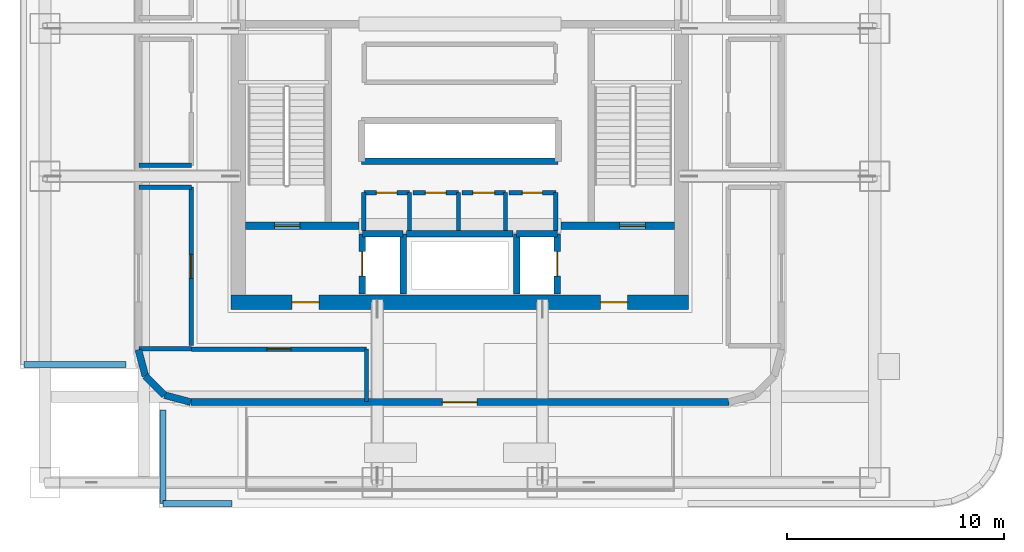
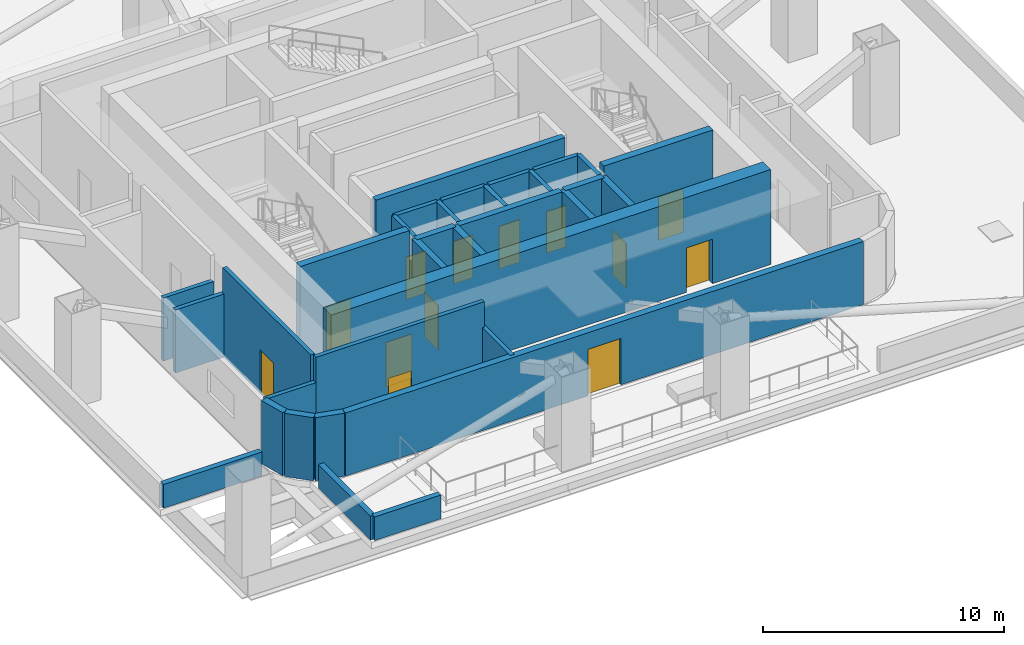
# One storey, part 5 of 10: 33 walls, 13 doors, 13 openings.
"""IFC4 building model written with IfcOpenShell, lengths in metres."""

from ifc_helpers import new_model, si_unit, direction, frame, frame_2d, origin, place, context, subcontext, project, spatial, rectangle, extrude, material, layer, layer_set, type_object, element, fill, save


model = new_model("IFC4")

# Units and contexts
model_context = context("Model", 3, precision=1e-05, world=origin(), true_north=direction((0.0, 1.0)))
body_context = subcontext(model_context, "Body", "Model", "MODEL_VIEW")
ifc_project = project(units=[si_unit("LENGTHUNIT", "METRE"), si_unit("AREAUNIT", "SQUARE_METRE"), si_unit("VOLUMEUNIT", "CUBIC_METRE"), si_unit("PLANEANGLEUNIT", "RADIAN"), si_unit("MASSUNIT", "GRAM", prefix="KILO")], contexts=[model_context])

# Site, building, storey
site_placement = place(None, origin())
site = spatial("IfcSite", under=ifc_project, at=site_placement, CompositionType="ELEMENT")
building_placement = place(site_placement, origin())
building = spatial("IfcBuilding", under=site, at=building_placement, Name="Punatoya Terracotta Tower", CompositionType="ELEMENT")
storey_placement = place(building_placement, frame((0.0, 0.0, 125.39990234375)))
storey = spatial("IfcBuildingStorey", under=building, at=storey_placement, Name="L29", CompositionType="ELEMENT", Elevation=125.39990234375)

# Wall, openings, doors
ifc_material_1 = material(Name="Concrete C60/75", Category="concrete")
ifc_layer_1 = layer(ifc_material_1, 0.64990234375)
ifc_layer_set_1 = layer_set([ifc_layer_1], Name="Concrete C60/75")
wall_type_1 = type_object("IfcWallType", Name="WL-COR-650", PredefinedType="SHEAR", material=ifc_layer_set_1)
wall_1_placement = place(storey_placement, frame((10.52490234375, -9.199951171875, 0.0), z_axis=(0.0, 0.0, 1.0), x_axis=(-1.0, 0.0, 0.0)))
wall_1 = element("IfcWall", 1, at=wall_1_placement, inside=storey, type_object=wall_type_1, Name="L29 Core Shear Wall S", PredefinedType="SHEAR", context=body_context, shape_type="SweptSolid", body=[
    extrude(rectangle(XDim=21.0498046875, YDim=0.64990234375, at=frame_2d((10.52490234375, 0.0))), origin(), (0.0, 0.0, 1.0), 4.800048828125),
])
opening_1_placement = place(wall_1_placement, frame((2.800048828125, 0.0, 0.0)))
opening_1 = element("IfcOpeningElement", 2, at=opening_1_placement, cuts=wall_1, Name="Opening FD-L1", PredefinedType="OPENING", context=body_context, shape_type="SweptSolid", body=[
    extrude(rectangle(XDim=1.25, YDim=2.25, at=frame_2d((0.625, 1.125))), frame((0.0, 0.3349609375, 0.0), z_axis=(0.0, -1.0, 0.0), x_axis=(1.0, 0.0, 0.0)), (0.0, 0.0, 1.0), 0.669921875),
])
opening_2_placement = place(wall_1_placement, frame((17.0, 0.0, 0.0)))
opening_2 = element("IfcOpeningElement", 3, at=opening_2_placement, cuts=wall_1, Name="Opening FD-L1", PredefinedType="OPENING", context=body_context, shape_type="SweptSolid", body=[
    extrude(rectangle(XDim=1.25, YDim=2.25, at=frame_2d((0.625, 1.125))), frame((0.0, 0.3349609375, 0.0), z_axis=(0.0, -1.0, 0.0), x_axis=(1.0, 0.0, 0.0)), (0.0, 0.0, 1.0), 0.669921875),
])
ifc_material_2 = material(Name="Galvanised Steel Smokeproof Fire Door", Category="steel")
door_type_1 = type_object("IfcDoorType", Name="DR-FFL-1250", OperationType="NOTDEFINED", PredefinedType="DOOR", material=ifc_material_2)
door_1_placement = place(opening_1_placement, origin())
door_1 = element("IfcDoor", 4, at=door_1_placement, inside=storey, type_object=door_type_1, Name="L29 East Firefighting Lobby Corridor Fire Door", OperationType="SINGLE_SWING_LEFT", OverallHeight=2.25, OverallWidth=1.25, PredefinedType="DOOR", context=body_context, shape_type="SweptSolid", body=[
    extrude(rectangle(XDim=1.25, YDim=2.25, at=frame_2d((0.625, 1.125))), frame((0.0, 0.02490234375, 0.0), z_axis=(0.0, -1.0, 0.0), x_axis=(1.0, 0.0, 0.0)), (0.0, 0.0, 1.0), 0.050048828125),
])
fill(opening_1, door_1)
door_2_placement = place(opening_2_placement, origin())
door_2 = element("IfcDoor", 5, at=door_2_placement, inside=storey, type_object=door_type_1, Name="L29 West Firefighting Lobby Corridor Fire Door", OperationType="SINGLE_SWING_RIGHT", OverallHeight=2.25, OverallWidth=1.25, PredefinedType="DOOR", context=body_context, shape_type="SweptSolid", body=[
    extrude(rectangle(XDim=1.25, YDim=2.25, at=frame_2d((0.625, 1.125))), frame((0.0, 0.02490234375, 0.0), z_axis=(0.0, -1.0, 0.0), x_axis=(1.0, 0.0, 0.0)), (0.0, 0.0, 1.0), 0.050048828125),
])
fill(opening_2, door_2)

# Wall, opening, door
ifc_material_3 = material(Name="Precast concrete C40/50", Category="concrete")
ifc_layer_2 = layer(ifc_material_3, 0.320068359375)
ifc_layer_set_2 = layer_set([ifc_layer_2], Name="Precast concrete C40/50")
wall_type_2 = type_object("IfcWallType", Name="WL-EXT-320", PredefinedType="SOLIDWALL", material=ifc_layer_set_2)
wall_2_placement = place(storey_placement, frame((-12.386962890625, -13.800048828125, 0.0), z_axis=(0.0, 0.0, 1.0), x_axis=(1.0, 0.0, 0.0)))
wall_2 = element("IfcWall", 6, at=wall_2_placement, inside=storey, type_object=wall_type_2, Name="L29 Terracotta Louvre Plant Enclosure S", PredefinedType="SOLIDWALL", context=body_context, shape_type="SweptSolid", body=[
    extrude(rectangle(XDim=24.77392578125, YDim=0.320068359375, at=frame_2d((12.386962890625, 0.0))), origin(), (0.0, 0.0, 1.0), 3.194091796875),
])
opening_3_placement = place(wall_2_placement, frame((11.5869140625, 0.0, 0.0)))
opening_3 = element("IfcOpeningElement", 7, at=opening_3_placement, cuts=wall_2, Name="Opening TD-01", PredefinedType="OPENING", context=body_context, shape_type="SweptSolid", body=[
    extrude(rectangle(XDim=1.60009765625, YDim=2.35009765625, at=frame_2d((0.800048828125, 1.175048828125))), frame((0.0, 0.169921875, 0.0), z_axis=(0.0, -1.0, 0.0), x_axis=(1.0, 0.0, 0.0)), (0.0, 0.0, 1.0), 0.340087890625),
])
ifc_material_4 = material(Name="Aluminium 6063-T6 + Low-E Glass", Category="aluminium")
door_type_2 = type_object("IfcDoorType", Name="DR-TER-1600", OperationType="NOTDEFINED", PredefinedType="DOOR", material=ifc_material_4)
door_3_placement = place(opening_3_placement, origin())
door_3 = element("IfcDoor", 8, at=door_3_placement, inside=storey, type_object=door_type_2, Name="L29 Sky-Garden Terrace Access Door S", OperationType="SINGLE_SWING_RIGHT", OverallHeight=2.35009765625, OverallWidth=1.60009765625, PredefinedType="DOOR", context=body_context, shape_type="SweptSolid", body=[
    extrude(rectangle(XDim=1.60009765625, YDim=2.35009765625, at=frame_2d((0.800048828125, 1.175048828125))), frame((0.0, 0.02490234375, 0.0), z_axis=(0.0, -1.0, 0.0), x_axis=(1.0, 0.0, 0.0)), (0.0, 0.0, 1.0), 0.050048828125),
])
fill(opening_3, door_3)

# Walls
wall_3_placement = place(storey_placement, frame((-14.800048828125, -11.386962890625, 0.0), z_axis=(0.0, 0.0, 1.0), x_axis=(0.25748094776, -0.966283375382, 0.0)))
element("IfcWall", 9, at=wall_3_placement, inside=storey, type_object=wall_type_2, Name="L29 Rounded Terracotta Corner Pier 14", PredefinedType="SOLIDWALL", context=body_context, shape_type="SweptSolid", body=[
    extrude(rectangle(XDim=1.25439453125, YDim=0.320068359375, at=frame_2d((0.627197265625, 0.0))), origin(), (0.0, 0.0, 1.0), 3.194091796875),
])
wall_4_placement = place(storey_placement, frame((-14.47705078125, -12.59912109375, 0.0), z_axis=(0.0, 0.0, 1.0), x_axis=(0.707106781187, -0.707106781187, 0.0)))
element("IfcWall", 10, at=wall_4_placement, inside=storey, type_object=wall_type_2, Name="L29 Rounded Terracotta Corner Pier 15", PredefinedType="SOLIDWALL", context=body_context, shape_type="SweptSolid", body=[
    extrude(rectangle(XDim=1.24169921875, YDim=0.320068359375, at=frame_2d((0.620849609375, 0.0))), origin(), (0.0, 0.0, 1.0), 3.194091796875),
])
wall_5_placement = place(storey_placement, frame((-13.59912109375, -13.47705078125, 0.0), z_axis=(0.0, 0.0, 1.0), x_axis=(0.966283375382, -0.25748094776, 0.0)))
element("IfcWall", 11, at=wall_5_placement, inside=storey, type_object=wall_type_2, Name="L29 Rounded Terracotta Corner Pier 16", PredefinedType="SOLIDWALL", context=body_context, shape_type="SweptSolid", body=[
    extrude(rectangle(XDim=1.25439453125, YDim=0.320068359375, at=frame_2d((0.627197265625, 0.0))), origin(), (0.0, 0.0, 1.0), 3.194091796875),
])
ifc_material_5 = material(Name="Concrete C40/50", Category="concrete")
ifc_layer_3 = layer(ifc_material_5, 0.199951171875)
ifc_layer_set_3 = layer_set([ifc_layer_3], Name="Concrete C40/50")
wall_type_3 = type_object("IfcWallType", Name="WL-INT-200", PredefinedType="SOLIDWALL", material=ifc_layer_set_3)
wall_6_placement = place(storey_placement, frame((-2.320068359375, -5.89990234375, 0.0), z_axis=(0.0, 0.0, 1.0), x_axis=(0.0, 1.0, 0.0)))
element("IfcWall", 12, at=wall_6_placement, inside=storey, type_object=wall_type_3, Name="L29 Staff Male Washroom Partition 01", PredefinedType="SOLIDWALL", context=body_context, shape_type="SweptSolid", body=[
    extrude(rectangle(XDim=1.739990234375, YDim=0.199951171875, at=frame_2d((0.8701171875, 0.0))), origin(), (0.0, 0.0, 1.0), 4.47998046875),
])

# Wall, opening, door
wall_7_placement = place(storey_placement, frame((-2.320068359375, -4.159912109375, 0.0), z_axis=(0.0, 0.0, 1.0), x_axis=(-1.0, 0.0, 0.0)))
wall_7 = element("IfcWall", 13, at=wall_7_placement, inside=storey, type_object=wall_type_3, Name="L29 Staff Male Washroom Partition 02", PredefinedType="SOLIDWALL", context=body_context, shape_type="SweptSolid", body=[
    extrude(rectangle(XDim=2.099853515625, YDim=0.199951171875, at=frame_2d((1.0498046875, 0.0))), origin(), (0.0, 0.0, 1.0), 4.47998046875),
])
opening_4_placement = place(wall_7_placement, frame((0.574951171875, 0.0, 0.0)))
opening_4 = element("IfcOpeningElement", 14, at=opening_4_placement, cuts=wall_7, Name="Opening WD-01", PredefinedType="OPENING", context=body_context, shape_type="SweptSolid", body=[
    extrude(rectangle(XDim=0.949951171875, YDim=2.14990234375, at=frame_2d((0.47509765625, 1.074951171875))), frame((0.0, 0.10986328125, 0.0), z_axis=(0.0, -1.0, 0.0), x_axis=(1.0, 0.0, 0.0)), (0.0, 0.0, 1.0), 0.219970703125),
])
ifc_material_6 = material(Name="Moisture-Resistant Laminate Timber Leaf", Category="wood")
door_type_3 = type_object("IfcDoorType", Name="DR-WC-950", OperationType="NOTDEFINED", PredefinedType="DOOR", material=ifc_material_6)
door_4_placement = place(opening_4_placement, origin())
door_4 = element("IfcDoor", 15, at=door_4_placement, inside=storey, type_object=door_type_3, Name="L29 Staff Male Washroom Door", OperationType="SINGLE_SWING_RIGHT", OverallHeight=2.14990234375, OverallWidth=0.949951171875, PredefinedType="DOOR", context=body_context, shape_type="SweptSolid", body=[
    extrude(rectangle(XDim=0.949951171875, YDim=2.14990234375, at=frame_2d((0.47509765625, 1.074951171875))), frame((0.0, 0.02490234375, 0.0), z_axis=(0.0, -1.0, 0.0), x_axis=(1.0, 0.0, 0.0)), (0.0, 0.0, 1.0), 0.050048828125),
])
fill(opening_4, door_4)

# Walls
for number, where, z_axis, x_axis, name in (
    (16, (-4.419921875, -4.159912109375, 0.0), (0.0, 0.0, 1.0), (0.0, -1.0, 0.0), "L29 Staff Male Washroom Partition 03"),
    (17, (-0.06005859375, -5.89990234375, 0.0), (0.0, 0.0, 1.0), (0.0, 1.0, 0.0), "L29 Staff Female Washroom Partition 04"),
):
    element("IfcWall", number, at=place(storey_placement, frame(where, z_axis=z_axis, x_axis=x_axis)), inside=storey, type_object=wall_type_3, Name=name, PredefinedType="SOLIDWALL", context=body_context, shape_type="SweptSolid", body=[
        extrude(rectangle(XDim=1.739990234375, YDim=0.199951171875, at=frame_2d((0.8701171875, 0.0))), origin(), (0.0, 0.0, 1.0), 4.47998046875),
    ])

# Wall, opening, door
wall_8_placement = place(storey_placement, frame((-0.06005859375, -4.159912109375, 0.0), z_axis=(0.0, 0.0, 1.0), x_axis=(-1.0, 0.0, 0.0)))
wall_8 = element("IfcWall", 18, at=wall_8_placement, inside=storey, type_object=wall_type_3, Name="L29 Staff Female Washroom Partition 05", PredefinedType="SOLIDWALL", context=body_context, shape_type="SweptSolid", body=[
    extrude(rectangle(XDim=2.099853515625, YDim=0.199951171875, at=frame_2d((1.0498046875, 0.0))), origin(), (0.0, 0.0, 1.0), 4.47998046875),
])
opening_5_placement = place(wall_8_placement, frame((0.574951171875, 0.0, 0.0)))
opening_5 = element("IfcOpeningElement", 19, at=opening_5_placement, cuts=wall_8, Name="Opening WD-01", PredefinedType="OPENING", context=body_context, shape_type="SweptSolid", body=[
    extrude(rectangle(XDim=0.949951171875, YDim=2.14990234375, at=frame_2d((0.47509765625, 1.074951171875))), frame((0.0, 0.10986328125, 0.0), z_axis=(0.0, -1.0, 0.0), x_axis=(1.0, 0.0, 0.0)), (0.0, 0.0, 1.0), 0.219970703125),
])
door_5_placement = place(opening_5_placement, origin())
door_5 = element("IfcDoor", 20, at=door_5_placement, inside=storey, type_object=door_type_3, Name="L29 Staff Female Washroom Door", OperationType="SINGLE_SWING_LEFT", OverallHeight=2.14990234375, OverallWidth=0.949951171875, PredefinedType="DOOR", context=body_context, shape_type="SweptSolid", body=[
    extrude(rectangle(XDim=0.949951171875, YDim=2.14990234375, at=frame_2d((0.47509765625, 1.074951171875))), frame((0.0, 0.02490234375, 0.0), z_axis=(0.0, -1.0, 0.0), x_axis=(1.0, 0.0, 0.0)), (0.0, 0.0, 1.0), 0.050048828125),
])
fill(opening_5, door_5)

# Wall
wall_9_placement = place(storey_placement, frame((2.10009765625, -5.89990234375, 0.0), z_axis=(0.0, 0.0, 1.0), x_axis=(0.0, 1.0, 0.0)))
element("IfcWall", 21, at=wall_9_placement, inside=storey, type_object=wall_type_3, Name="L29 Accessible Universal Washroom Partition 06", PredefinedType="SOLIDWALL", context=body_context, shape_type="SweptSolid", body=[
    extrude(rectangle(XDim=1.739990234375, YDim=0.199951171875, at=frame_2d((0.8701171875, 0.0))), origin(), (0.0, 0.0, 1.0), 4.47998046875),
])

# Wall, opening, door
wall_10_placement = place(storey_placement, frame((2.10009765625, -4.159912109375, 0.0), z_axis=(0.0, 0.0, 1.0), x_axis=(-1.0, 0.0, 0.0)))
wall_10 = element("IfcWall", 22, at=wall_10_placement, inside=storey, type_object=wall_type_3, Name="L29 Accessible Universal Washroom Partition 07", PredefinedType="SOLIDWALL", context=body_context, shape_type="SweptSolid", body=[
    extrude(rectangle(XDim=2.0, YDim=0.199951171875, at=frame_2d((1.0, 0.0))), origin(), (0.0, 0.0, 1.0), 4.47998046875),
])
opening_6_placement = place(wall_10_placement, frame((0.5, 0.0, 0.0)))
opening_6 = element("IfcOpeningElement", 23, at=opening_6_placement, cuts=wall_10, Name="Opening AWD-1", PredefinedType="OPENING", context=body_context, shape_type="SweptSolid", body=[
    extrude(rectangle(XDim=1.0, YDim=2.14990234375, at=frame_2d((0.5, 1.074951171875))), frame((0.0, 0.10986328125, 0.0), z_axis=(0.0, -1.0, 0.0), x_axis=(1.0, 0.0, 0.0)), (0.0, 0.0, 1.0), 0.219970703125),
])
ifc_material_7 = material(Name="Bengal Teak Accessible WC Leaf")
door_type_4 = type_object("IfcDoorType", Name="DR-ACC-1000", OperationType="NOTDEFINED", PredefinedType="DOOR", material=ifc_material_7)
door_6_placement = place(opening_6_placement, origin())
door_6 = element("IfcDoor", 24, at=door_6_placement, inside=storey, type_object=door_type_4, Name="L29 Accessible Universal Washroom Door", OperationType="SINGLE_SWING_RIGHT", OverallHeight=2.14990234375, OverallWidth=1.0, PredefinedType="DOOR", context=body_context, shape_type="SweptSolid", body=[
    extrude(rectangle(XDim=1.0, YDim=2.14990234375, at=frame_2d((0.5, 1.074951171875))), frame((0.0, 0.02490234375, 0.0), z_axis=(0.0, -1.0, 0.0), x_axis=(1.0, 0.0, 0.0)), (0.0, 0.0, 1.0), 0.050048828125),
])
fill(opening_6, door_6)

# Wall
wall_11_placement = place(storey_placement, frame((4.419921875, -5.89990234375, 0.0), z_axis=(0.0, 0.0, 1.0), x_axis=(0.0, 1.0, 0.0)))
element("IfcWall", 25, at=wall_11_placement, inside=storey, type_object=wall_type_3, Name="L29 Core Electrical Switchgear Room Partition 08", PredefinedType="SOLIDWALL", context=body_context, shape_type="SweptSolid", body=[
    extrude(rectangle(XDim=1.739990234375, YDim=0.199951171875, at=frame_2d((0.8701171875, 0.0))), origin(), (0.0, 0.0, 1.0), 4.47998046875),
])

# Wall, opening, door
wall_12_placement = place(storey_placement, frame((4.419921875, -4.159912109375, 0.0), z_axis=(0.0, 0.0, 1.0), x_axis=(-1.0, 0.0, 0.0)))
wall_12 = element("IfcWall", 26, at=wall_12_placement, inside=storey, type_object=wall_type_3, Name="L29 Core Electrical Switchgear Room Partition 09", PredefinedType="SOLIDWALL", context=body_context, shape_type="SweptSolid", body=[
    extrude(rectangle(XDim=2.159912109375, YDim=0.199951171875, at=frame_2d((1.080078125, 0.0))), origin(), (0.0, 0.0, 1.0), 4.47998046875),
])
opening_7_placement = place(wall_12_placement, frame((0.6201171875, 0.0, 0.0)))
opening_7 = element("IfcOpeningElement", 27, at=opening_7_placement, cuts=wall_12, Name="Opening FD-R1", PredefinedType="OPENING", context=body_context, shape_type="SweptSolid", body=[
    extrude(rectangle(XDim=0.919921875, YDim=2.10009765625, at=frame_2d((0.4599609375, 1.050048828125))), frame((0.0, 0.10986328125, 0.0), z_axis=(0.0, -1.0, 0.0), x_axis=(1.0, 0.0, 0.0)), (0.0, 0.0, 1.0), 0.219970703125),
])
ifc_material_8 = material(Name="Galvanised Steel Riser Fire Access Door", Category="steel")
door_type_5 = type_object("IfcDoorType", Name="DR-RSR-920", OperationType="NOTDEFINED", PredefinedType="DOOR", material=ifc_material_8)
door_7_placement = place(opening_7_placement, origin())
door_7 = element("IfcDoor", 28, at=door_7_placement, inside=storey, type_object=door_type_5, Name="L29 Core Electrical Switchgear Room Fire Door", OperationType="SINGLE_SWING_LEFT", OverallHeight=2.10009765625, OverallWidth=0.919921875, PredefinedType="DOOR", context=body_context, shape_type="SweptSolid", body=[
    extrude(rectangle(XDim=0.919921875, YDim=2.10009765625, at=frame_2d((0.4599609375, 1.050048828125))), frame((0.0, 0.02490234375, 0.0), z_axis=(0.0, -1.0, 0.0), x_axis=(1.0, 0.0, 0.0)), (0.0, 0.0, 1.0), 0.050048828125),
])
fill(opening_7, door_7)

# Wall
wall_13_placement = place(storey_placement, frame((-14.780029296875, -11.35009765625, 0.0), z_axis=(0.0, 0.0, 1.0), x_axis=(1.0, 0.0, 0.0)))
element("IfcWall", 29, at=wall_13_placement, inside=storey, type_object=wall_type_3, Name="L29 South AHU Mechanical Plant Room Partition 14", PredefinedType="SOLIDWALL", context=body_context, shape_type="SweptSolid", body=[
    extrude(rectangle(XDim=2.419921875, YDim=0.199951171875, at=frame_2d((1.2099609375, 0.0))), origin(), (0.0, 0.0, 1.0), 3.194091796875),
])

# Wall, opening, door
wall_14_placement = place(storey_placement, frame((-12.360107421875, -11.360107421875, 0.0), z_axis=(0.0, 0.0, 1.0), x_axis=(1.0, 0.0, 0.0)))
wall_14 = element("IfcWall", 30, at=wall_14_placement, inside=storey, type_object=wall_type_3, Name="L29 South AHU Mechanical Plant Room Partition 15", PredefinedType="SOLIDWALL", context=body_context, shape_type="SweptSolid", body=[
    extrude(rectangle(XDim=8.06005859375, YDim=0.199951171875, at=frame_2d((4.030029296875, 0.0))), origin(), (0.0, 0.0, 1.0), 4.47998046875),
])
opening_8_placement = place(wall_14_placement, frame((3.47998046875, 0.0, 0.0)))
opening_8 = element("IfcOpeningElement", 31, at=opening_8_placement, cuts=wall_14, Name="Opening FD-P1", PredefinedType="OPENING", context=body_context, shape_type="SweptSolid", body=[
    extrude(rectangle(XDim=1.10009765625, YDim=2.199951171875, at=frame_2d((0.550048828125, 1.10009765625))), frame((0.0, 0.10986328125, 0.0), z_axis=(0.0, -1.0, 0.0), x_axis=(1.0, 0.0, 0.0)), (0.0, 0.0, 1.0), 0.219970703125),
])
ifc_material_9 = material(Name="Galvanised Steel Plant Fire Door", Category="steel")
door_type_6 = type_object("IfcDoorType", Name="DR-PLT-1100", OperationType="NOTDEFINED", PredefinedType="DOOR", material=ifc_material_9)
door_8_placement = place(opening_8_placement, origin())
door_8 = element("IfcDoor", 32, at=door_8_placement, inside=storey, type_object=door_type_6, Name="L29 South AHU Mechanical Plant Room Fire Door", OperationType="SINGLE_SWING_LEFT", OverallHeight=2.199951171875, OverallWidth=1.10009765625, PredefinedType="DOOR", context=body_context, shape_type="SweptSolid", body=[
    extrude(rectangle(XDim=1.10009765625, YDim=2.199951171875, at=frame_2d((0.550048828125, 1.10009765625))), frame((0.0, 0.02490234375, 0.0), z_axis=(0.0, -1.0, 0.0), x_axis=(1.0, 0.0, 0.0)), (0.0, 0.0, 1.0), 0.050048828125),
])
fill(opening_8, door_8)

# Walls
for number, where, z_axis, x_axis, name in (
    (33, (-4.300048828125, -11.360107421875, 0.0), (0.0, 0.0, 1.0), (0.0, -1.0, 0.0), "L29 South AHU Mechanical Plant Room Partition 16"),
    (34, (-14.780029296875, -3.89990234375, 0.0), (0.0, 0.0, 1.0), (1.0, 0.0, 0.0), "L29 West Outrigger Truss & Smoke-Extract Plant Room (South Bay) Partition 17"),
):
    element("IfcWall", number, at=place(storey_placement, frame(where, z_axis=z_axis, x_axis=x_axis)), inside=storey, type_object=wall_type_3, Name=name, PredefinedType="SOLIDWALL", context=body_context, shape_type="SweptSolid", body=[
        extrude(rectangle(XDim=2.419921875, YDim=0.199951171875, at=frame_2d((1.2099609375, 0.0))), origin(), (0.0, 0.0, 1.0), 3.194091796875),
    ])

# Wall, opening, door
wall_15_placement = place(storey_placement, frame((-12.360107421875, -3.89990234375, 0.0), z_axis=(0.0, 0.0, 1.0), x_axis=(0.0, -1.0, 0.0)))
wall_15 = element("IfcWall", 35, at=wall_15_placement, inside=storey, type_object=wall_type_3, Name="L29 West Outrigger Truss & Smoke-Extract Plant Room (South Bay) Partition 18", PredefinedType="SOLIDWALL", context=body_context, shape_type="SweptSolid", body=[
    extrude(rectangle(XDim=7.300048828125, YDim=0.199951171875, at=frame_2d((3.64990234375, 0.0))), origin(), (0.0, 0.0, 1.0), 4.47998046875),
])
opening_9_placement = place(wall_15_placement, frame((3.10009765625, 0.0, 0.0)))
opening_9 = element("IfcOpeningElement", 36, at=opening_9_placement, cuts=wall_15, Name="Opening FD-P1", PredefinedType="OPENING", context=body_context, shape_type="SweptSolid", body=[
    extrude(rectangle(XDim=1.10009765625, YDim=2.199951171875, at=frame_2d((0.550048828125, 1.10009765625))), frame((0.0, 0.10986328125, 0.0), z_axis=(0.0, -1.0, 0.0), x_axis=(1.0, 0.0, 0.0)), (0.0, 0.0, 1.0), 0.219970703125),
])
door_9_placement = place(opening_9_placement, origin())
door_9 = element("IfcDoor", 37, at=door_9_placement, inside=storey, type_object=door_type_6, Name="L29 West Outrigger Truss & Smoke-Extract Plant Room (South Bay) Fire Door", OperationType="SINGLE_SWING_RIGHT", OverallHeight=2.199951171875, OverallWidth=1.10009765625, PredefinedType="DOOR", context=body_context, shape_type="SweptSolid", body=[
    extrude(rectangle(XDim=1.10009765625, YDim=2.199951171875, at=frame_2d((0.550048828125, 1.10009765625))), frame((0.0, 0.02490234375, 0.0), z_axis=(0.0, -1.0, 0.0), x_axis=(1.0, 0.0, 0.0)), (0.0, 0.0, 1.0), 0.050048828125),
])
fill(opening_9, door_9)

# Walls
wall_16_placement = place(storey_placement, frame((-12.360107421875, -2.89990234375, 0.0), z_axis=(0.0, 0.0, 1.0), x_axis=(-1.0, 0.0, 0.0)))
element("IfcWall", 38, at=wall_16_placement, inside=storey, type_object=wall_type_3, Name="L29 West Outrigger Truss & Smoke-Extract Plant Room (Central Bay) Partition 20", PredefinedType="SOLIDWALL", context=body_context, shape_type="SweptSolid", body=[
    extrude(rectangle(XDim=2.419921875, YDim=0.199951171875, at=frame_2d((1.2099609375, 0.0))), origin(), (0.0, 0.0, 1.0), 3.194091796875),
])
ifc_layer_4 = layer(ifc_material_3, 0.260009765625)
ifc_layer_set_4 = layer_set([ifc_layer_4], Name="Precast concrete C40/50")
wall_type_4 = type_object("IfcWallType", Name="WL-PAR-260", PredefinedType="PARAPET", material=ifc_layer_set_4)
wall_17_placement = place(storey_placement, frame((-20.070068359375, -12.070068359375, 0.0), z_axis=(0.0, 0.0, 1.0), x_axis=(1.0, 0.0, 0.0)))
element("IfcWall", 39, at=wall_17_placement, inside=storey, type_object=wall_type_4, Name="L29 Roof Parapet Wall PAR-L29-RF-18", PredefinedType="PARAPET", context=body_context, shape_type="SweptSolid", body=[
    extrude(rectangle(XDim=4.704345703125, YDim=0.260009765625, at=frame_2d((2.35205078125, 0.0))), origin(), (0.0, 0.0, 1.0), 1.2001953125),
])
wall_18_placement = place(storey_placement, frame((-13.669921875, -14.151123046875, 0.0), z_axis=(0.0, 0.0, 1.0), x_axis=(0.0, -1.0, 0.0)))
element("IfcWall", 40, at=wall_18_placement, inside=storey, type_object=wall_type_4, Name="L29 Roof Parapet Wall PAR-L29-RF-19", PredefinedType="PARAPET", context=body_context, shape_type="SweptSolid", body=[
    extrude(rectangle(XDim=4.31884765625, YDim=0.260009765625, at=frame_2d((2.159423828125, 0.0))), origin(), (0.0, 0.0, 1.0), 1.2001953125),
])
wall_19_placement = place(storey_placement, frame((-13.669921875, -18.469970703125, 0.0), z_axis=(0.0, 0.0, 1.0), x_axis=(1.0, 0.0, 0.0)))
element("IfcWall", 41, at=wall_19_placement, inside=storey, type_object=wall_type_4, Name="L29 Roof Parapet Wall PAR-L29-RF-20", PredefinedType="PARAPET", context=body_context, shape_type="SweptSolid", body=[
    extrude(rectangle(XDim=3.169921875, YDim=0.260009765625, at=frame_2d((1.5849609375, 0.0))), origin(), (0.0, 0.0, 1.0), 1.2001953125),
])

# Wall, opening, door
ifc_layer_5 = layer(ifc_material_5, 0.300048828125)
ifc_layer_set_5 = layer_set([ifc_layer_5], Name="Concrete C40/50")
wall_type_5 = type_object("IfcWallType", Name="WL-SHF-300", PredefinedType="SOLIDWALL", material=ifc_layer_set_5)
wall_20_placement = place(storey_placement, frame((-4.489990234375, -8.820068359375, 0.0), z_axis=(0.0, 0.0, 1.0), x_axis=(0.0, 1.0, 0.0)))
wall_20 = element("IfcWall", 42, at=wall_20_placement, inside=storey, type_object=wall_type_5, Name="L29 FFL-1 Front Hoistway Wall", PredefinedType="SOLIDWALL", context=body_context, shape_type="SweptSolid", body=[
    extrude(rectangle(XDim=2.77001953125, YDim=0.300048828125, at=frame_2d((1.385009765625, 0.0))), origin(), (0.0, 0.0, 1.0), 4.47998046875),
])
opening_10_placement = place(wall_20_placement, frame((0.824951171875, 0.0, 0.0)))
opening_10 = element("IfcOpeningElement", 43, at=opening_10_placement, cuts=wall_20, Name="Opening LD-02", PredefinedType="OPENING", context=body_context, shape_type="SweptSolid", body=[
    extrude(rectangle(XDim=1.1201171875, YDim=2.25, at=frame_2d((0.56005859375, 1.125))), frame((0.0, 0.159912109375, 0.0), z_axis=(0.0, -1.0, 0.0), x_axis=(1.0, 0.0, 0.0)), (0.0, 0.0, 1.0), 0.320068359375),
])
ifc_material_10 = material(Name="Stainless Steel Lift Landing Door", Category="steel")
door_type_7 = type_object("IfcDoorType", Name="DR-LND-1120", OperationType="NOTDEFINED", PredefinedType="DOOR", material=ifc_material_10)
door_10_placement = place(opening_10_placement, origin())
door_10 = element("IfcDoor", 44, at=door_10_placement, inside=storey, type_object=door_type_7, Name="L29 Firefighting Lift FFL-1 Sliding Landing Door", OperationType="SLIDING_TO_LEFT", OverallHeight=2.25, OverallWidth=1.1201171875, PredefinedType="DOOR", context=body_context, shape_type="SweptSolid", body=[
    extrude(rectangle(XDim=1.1201171875, YDim=2.25, at=frame_2d((0.56005859375, 1.125))), frame((0.0, 0.02490234375, 0.0), z_axis=(0.0, -1.0, 0.0), x_axis=(1.0, 0.0, 0.0)), (0.0, 0.0, 1.0), 0.050048828125),
])
fill(opening_10, door_10)

# Walls
wall_21_placement = place(storey_placement, frame((-2.610107421875, -8.820068359375, 0.0), z_axis=(0.0, 0.0, 1.0), x_axis=(0.0, 1.0, 0.0)))
element("IfcWall", 45, at=wall_21_placement, inside=storey, type_object=wall_type_5, Name="L29 FFL-1 Rear Hoistway Wall", PredefinedType="SOLIDWALL", context=body_context, shape_type="SweptSolid", body=[
    extrude(rectangle(XDim=2.77001953125, YDim=0.300048828125, at=frame_2d((1.385009765625, 0.0))), origin(), (0.0, 0.0, 1.0), 4.47998046875),
])
wall_22_placement = place(storey_placement, frame((-4.489990234375, -6.050048828125, 0.0), z_axis=(0.0, 0.0, 1.0), x_axis=(1.0, 0.0, 0.0)))
element("IfcWall", 46, at=wall_22_placement, inside=storey, type_object=wall_type_5, Name="L29 FFL-1 North Hoistway Wall", PredefinedType="SOLIDWALL", context=body_context, shape_type="SweptSolid", body=[
    extrude(rectangle(XDim=1.8798828125, YDim=0.300048828125, at=frame_2d((0.93994140625, 0.0))), origin(), (0.0, 0.0, 1.0), 4.47998046875),
])

# Wall, opening, door
wall_23_placement = place(storey_placement, frame((4.489990234375, -8.820068359375, 0.0), z_axis=(0.0, 0.0, 1.0), x_axis=(0.0, 1.0, 0.0)))
wall_23 = element("IfcWall", 47, at=wall_23_placement, inside=storey, type_object=wall_type_5, Name="L29 FFL-2 Front Hoistway Wall", PredefinedType="SOLIDWALL", context=body_context, shape_type="SweptSolid", body=[
    extrude(rectangle(XDim=2.77001953125, YDim=0.300048828125, at=frame_2d((1.385009765625, 0.0))), origin(), (0.0, 0.0, 1.0), 4.47998046875),
])
opening_11_placement = place(wall_23_placement, frame((0.824951171875, 0.0, 0.0)))
opening_11 = element("IfcOpeningElement", 48, at=opening_11_placement, cuts=wall_23, Name="Opening LD-02", PredefinedType="OPENING", context=body_context, shape_type="SweptSolid", body=[
    extrude(rectangle(XDim=1.1201171875, YDim=2.25, at=frame_2d((0.56005859375, 1.125))), frame((0.0, 0.159912109375, 0.0), z_axis=(0.0, -1.0, 0.0), x_axis=(1.0, 0.0, 0.0)), (0.0, 0.0, 1.0), 0.320068359375),
])
door_11_placement = place(opening_11_placement, origin())
door_11 = element("IfcDoor", 49, at=door_11_placement, inside=storey, type_object=door_type_7, Name="L29 Firefighting Lift FFL-2 Sliding Landing Door", OperationType="SLIDING_TO_RIGHT", OverallHeight=2.25, OverallWidth=1.1201171875, PredefinedType="DOOR", context=body_context, shape_type="SweptSolid", body=[
    extrude(rectangle(XDim=1.1201171875, YDim=2.25, at=frame_2d((0.56005859375, 1.125))), frame((0.0, 0.02490234375, 0.0), z_axis=(0.0, -1.0, 0.0), x_axis=(1.0, 0.0, 0.0)), (0.0, 0.0, 1.0), 0.050048828125),
])
fill(opening_11, door_11)

# Walls
wall_24_placement = place(storey_placement, frame((2.610107421875, -8.820068359375, 0.0), z_axis=(0.0, 0.0, 1.0), x_axis=(0.0, 1.0, 0.0)))
element("IfcWall", 50, at=wall_24_placement, inside=storey, type_object=wall_type_5, Name="L29 FFL-2 Rear Hoistway Wall", PredefinedType="SOLIDWALL", context=body_context, shape_type="SweptSolid", body=[
    extrude(rectangle(XDim=2.77001953125, YDim=0.300048828125, at=frame_2d((1.385009765625, 0.0))), origin(), (0.0, 0.0, 1.0), 4.47998046875),
])
wall_25_placement = place(storey_placement, frame((2.610107421875, -6.050048828125, 0.0), z_axis=(0.0, 0.0, 1.0), x_axis=(1.0, 0.0, 0.0)))
element("IfcWall", 51, at=wall_25_placement, inside=storey, type_object=wall_type_5, Name="L29 FFL-2 North Hoistway Wall", PredefinedType="SOLIDWALL", context=body_context, shape_type="SweptSolid", body=[
    extrude(rectangle(XDim=1.8798828125, YDim=0.300048828125, at=frame_2d((0.93994140625, 0.0))), origin(), (0.0, 0.0, 1.0), 4.47998046875),
])
wall_26_placement = place(storey_placement, frame((-4.52001953125, -2.719970703125, 0.0), z_axis=(0.0, 0.0, 1.0), x_axis=(1.0, 0.0, 0.0)))
element("IfcWall", 52, at=wall_26_placement, inside=storey, type_object=wall_type_5, Name="L29 South Lift Bank Rear Shaft Wall", PredefinedType="SOLIDWALL", context=body_context, shape_type="SweptSolid", body=[
    extrude(rectangle(XDim=9.0400390625, YDim=0.300048828125, at=frame_2d((4.52001953125, 0.0))), origin(), (0.0, 0.0, 1.0), 4.47998046875),
])
wall_27_placement = place(storey_placement, frame((-2.449951171875, -6.050048828125, 0.0), z_axis=(0.0, 0.0, 1.0), x_axis=(1.0, 0.0, 0.0)))
element("IfcWall", 53, at=wall_27_placement, inside=storey, type_object=wall_type_5, Name="L29 Observation Shuttle Rear Hoistway Wall", PredefinedType="SOLIDWALL", context=body_context, shape_type="SweptSolid", body=[
    extrude(rectangle(XDim=4.89990234375, YDim=0.300048828125, at=frame_2d((2.449951171875, 0.0))), origin(), (0.0, 0.0, 1.0), 4.47998046875),
])

# Wall, opening, door
ifc_material_11 = material(Name="Concrete C50/60", Category="concrete")
ifc_layer_6 = layer(ifc_material_11, 0.35009765625)
ifc_layer_set_6 = layer_set([ifc_layer_6], Name="Concrete C50/60")
wall_type_6 = type_object("IfcWallType", Name="WL-SHF-350", PredefinedType="SOLIDWALL", material=ifc_layer_set_6)
wall_28_placement = place(storey_placement, frame((-9.875, -5.679931640625, 0.0), z_axis=(0.0, 0.0, 1.0), x_axis=(1.0, 0.0, 0.0)))
wall_28 = element("IfcWall", 54, at=wall_28_placement, inside=storey, type_object=wall_type_6, Name="L29 Core Web Wall CSW-L", PredefinedType="SOLIDWALL", context=body_context, shape_type="SweptSolid", body=[
    extrude(rectangle(XDim=5.22509765625, YDim=0.35009765625, at=frame_2d((2.612548828125, 0.0))), origin(), (0.0, 0.0, 1.0), 4.800048828125),
])
opening_12_placement = place(wall_28_placement, frame((1.3349609375, 0.0, 0.0)))
opening_12 = element("IfcOpeningElement", 55, at=opening_12_placement, cuts=wall_28, Name="Opening SD-01", PredefinedType="OPENING", context=body_context, shape_type="SweptSolid", body=[
    extrude(rectangle(XDim=1.179931640625, YDim=2.199951171875, at=frame_2d((0.58984375, 1.10009765625))), frame((0.0, 0.18505859375, 0.0), z_axis=(0.0, -1.0, 0.0), x_axis=(1.0, 0.0, 0.0)), (0.0, 0.0, 1.0), 0.3701171875),
])
ifc_material_12 = material(Name="Galvanised Steel Pressurized Stair Fire Door", Category="steel")
door_type_8 = type_object("IfcDoorType", Name="DR-STR-1180", OperationType="NOTDEFINED", PredefinedType="DOOR", material=ifc_material_12)
door_12_placement = place(opening_12_placement, origin())
door_12 = element("IfcDoor", 56, at=door_12_placement, inside=storey, type_object=door_type_8, Name="L29 Stair ST-1 Smokeproof Lobby Fire Door", OperationType="SINGLE_SWING_LEFT", OverallHeight=2.199951171875, OverallWidth=1.179931640625, PredefinedType="DOOR", context=body_context, shape_type="SweptSolid", body=[
    extrude(rectangle(XDim=1.179931640625, YDim=2.199951171875, at=frame_2d((0.58984375, 1.10009765625))), frame((0.0, 0.02490234375, 0.0), z_axis=(0.0, -1.0, 0.0), x_axis=(1.0, 0.0, 0.0)), (0.0, 0.0, 1.0), 0.050048828125),
])
fill(opening_12, door_12)

wall_29_placement = place(storey_placement, frame((4.64990234375, -5.679931640625, 0.0), z_axis=(0.0, 0.0, 1.0), x_axis=(1.0, 0.0, 0.0)))
wall_29 = element("IfcWall", 57, at=wall_29_placement, inside=storey, type_object=wall_type_6, Name="L29 Core Web Wall CSW-R", PredefinedType="SOLIDWALL", context=body_context, shape_type="SweptSolid", body=[
    extrude(rectangle(XDim=5.22509765625, YDim=0.35009765625, at=frame_2d((2.612548828125, 0.0))), origin(), (0.0, 0.0, 1.0), 4.800048828125),
])
opening_13_placement = place(wall_29_placement, frame((2.7099609375, 0.0, 0.0)))
opening_13 = element("IfcOpeningElement", 58, at=opening_13_placement, cuts=wall_29, Name="Opening SD-01", PredefinedType="OPENING", context=body_context, shape_type="SweptSolid", body=[
    extrude(rectangle(XDim=1.179931640625, YDim=2.199951171875, at=frame_2d((0.58984375, 1.10009765625))), frame((0.0, 0.18505859375, 0.0), z_axis=(0.0, -1.0, 0.0), x_axis=(1.0, 0.0, 0.0)), (0.0, 0.0, 1.0), 0.3701171875),
])
door_13_placement = place(opening_13_placement, origin())
door_13 = element("IfcDoor", 59, at=door_13_placement, inside=storey, type_object=door_type_8, Name="L29 Stair ST-2 Smokeproof Lobby Fire Door", OperationType="SINGLE_SWING_RIGHT", OverallHeight=2.199951171875, OverallWidth=1.179931640625, PredefinedType="DOOR", context=body_context, shape_type="SweptSolid", body=[
    extrude(rectangle(XDim=1.179931640625, YDim=2.199951171875, at=frame_2d((0.58984375, 1.10009765625))), frame((0.0, 0.02490234375, 0.0), z_axis=(0.0, -1.0, 0.0), x_axis=(1.0, 0.0, 0.0)), (0.0, 0.0, 1.0), 0.050048828125),
])
fill(opening_13, door_13)

save(model, "model.ifc")
